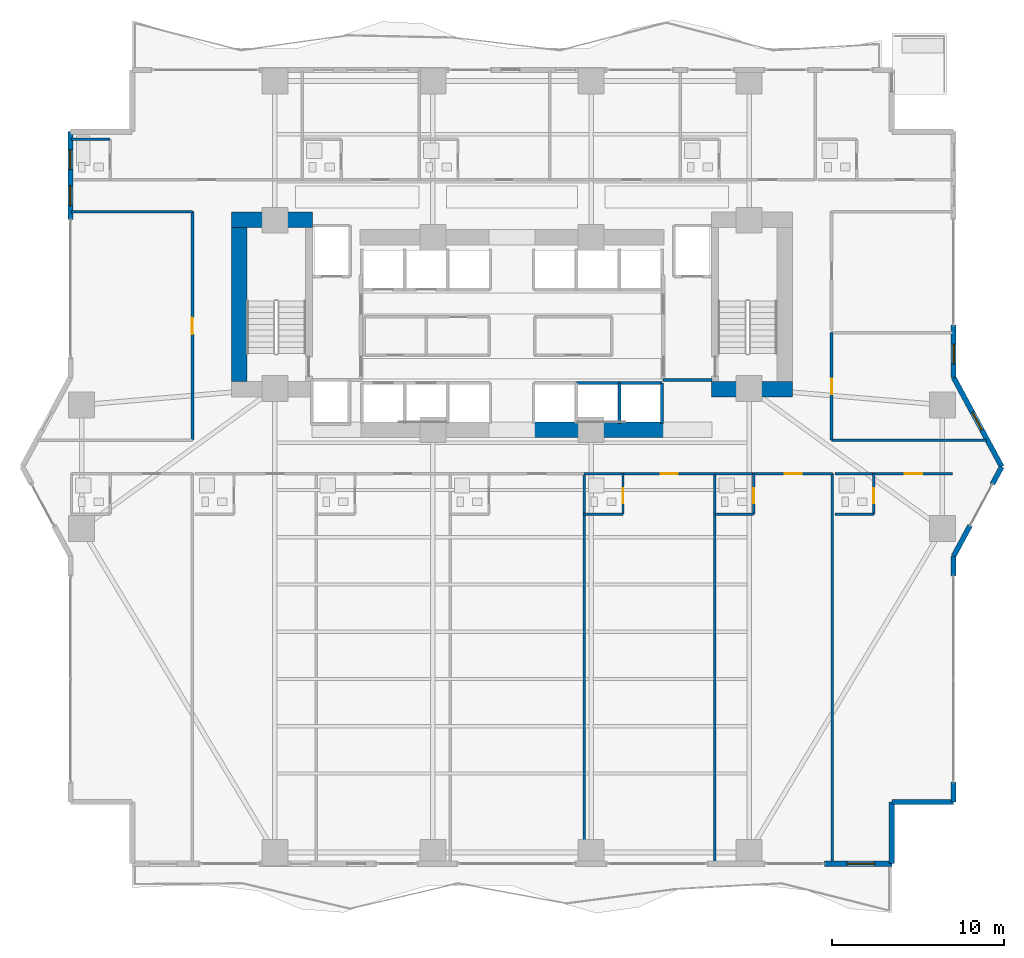
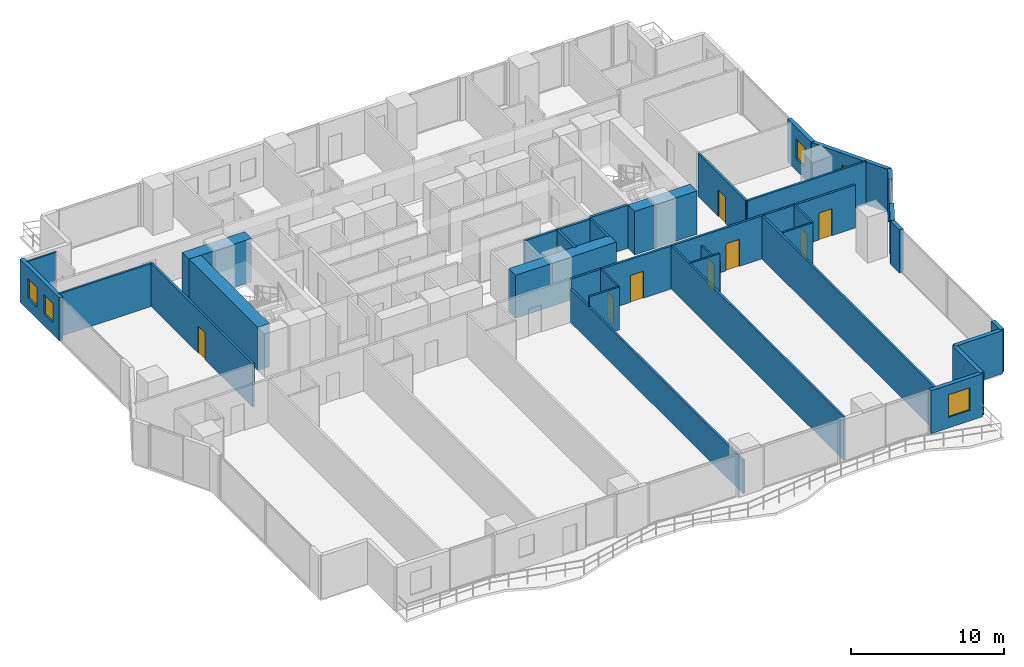
# One storey, part 20 of 28: 36 walls, 8 doors, 5 windows, 13 openings.
"""IFC4 building model written with IfcOpenShell, lengths in metres."""

from ifc_helpers import new_model, si_unit, direction, frame, frame_2d, origin, place, context, subcontext, project, spatial, rectangle, extrude, material, layer, layer_set, type_object, element, fill, save


model = new_model("IFC4")

# Units and contexts
model_context = context("Model", 3, precision=1e-05, world=origin(), true_north=direction((0.0, 1.0)))
body_context = subcontext(model_context, "Body", "Model", "MODEL_VIEW")
ifc_project = project(units=[si_unit("LENGTHUNIT", "METRE"), si_unit("AREAUNIT", "SQUARE_METRE"), si_unit("VOLUMEUNIT", "CUBIC_METRE"), si_unit("PLANEANGLEUNIT", "RADIAN"), si_unit("MASSUNIT", "GRAM", prefix="KILO")], contexts=[model_context])

# Site, building, storey
site_placement = place(None, origin())
site = spatial("IfcSite", under=ifc_project, at=site_placement, CompositionType="ELEMENT")
building_placement = place(site_placement, origin())
building = spatial("IfcBuilding", under=site, at=building_placement, Name="Zuhayl Quay Hotel", CompositionType="ELEMENT")
storey_placement = place(building_placement, frame((0.0, 0.0, 49.5)))
storey = spatial("IfcBuildingStorey", under=building, at=storey_placement, Name="L11", CompositionType="ELEMENT", Elevation=49.5)

# Walls
ifc_material_1 = material(Name="Concrete C70/85", Category="concrete")
ifc_layer_1 = layer(ifc_material_1, 0.89990234375, Name="Concrete C70/85", Category="concrete")
ifc_layer_set_1 = layer_set([ifc_layer_1], Name="Concrete C70/85")
wall_type_1 = type_object("IfcWallType", Name="WL_CORE_900", PredefinedType="SHEAR", material=ifc_layer_set_1)
wall_1_placement = place(storey_placement, frame((-16.31005859375, 14.3798828125, 0.0), z_axis=(0.0, 0.0, 1.0), x_axis=(1.0, 0.0, 0.0)))
element("IfcWall", 1, at=wall_1_placement, inside=storey, type_object=wall_type_1, Name="L11 Core Shear Wall CW_NW", PredefinedType="SHEAR", context=body_context, shape_type="SweptSolid", body=[
    extrude(rectangle(XDim=4.7099609375, YDim=0.89990234375, at=frame_2d((2.35498046875, 0.0))), origin(), (0.0, 0.0, 1.0), 3.4599609375),
])
wall_2_placement = place(storey_placement, frame((-15.860107421875, 4.969970703125, 0.0), z_axis=(0.0, 0.0, 1.0), x_axis=(0.0, 1.0, 0.0)))
element("IfcWall", 2, at=wall_2_placement, inside=storey, type_object=wall_type_1, Name="L11 Core Shear Wall CW_W", PredefinedType="SHEAR", context=body_context, shape_type="SweptSolid", body=[
    extrude(rectangle(XDim=8.9599609375, YDim=0.89990234375, at=frame_2d((4.47998046875, 0.0))), origin(), (0.0, 0.0, 1.0), 3.4599609375),
])
wall_3_placement = place(storey_placement, frame((11.60009765625, 4.52001953125, 0.0), z_axis=(0.0, 0.0, 1.0), x_axis=(1.0, 0.0, 0.0)))
element("IfcWall", 3, at=wall_3_placement, inside=storey, type_object=wall_type_1, Name="L11 Core Shear Wall CW_SE", PredefinedType="SHEAR", context=body_context, shape_type="SweptSolid", body=[
    extrude(rectangle(XDim=4.7099609375, YDim=0.89990234375, at=frame_2d((2.35498046875, 0.0))), origin(), (0.0, 0.0, 1.0), 3.4599609375),
])
wall_4_placement = place(storey_placement, frame((1.25, 2.14990234375, 0.0), z_axis=(0.0, 0.0, 1.0), x_axis=(1.0, 0.0, 0.0)))
element("IfcWall", 4, at=wall_4_placement, inside=storey, type_object=wall_type_1, Name="L11 Core Shear Wall CW_SC_E", PredefinedType="SHEAR", context=body_context, shape_type="SweptSolid", body=[
    extrude(rectangle(XDim=7.60009765625, YDim=0.89990234375, at=frame_2d((3.800048828125, 0.0))), origin(), (0.0, 0.0, 1.0), 3.429931640625),
])

# Wall, openings, windows
ifc_material_2 = material(Name="Precast concrete C45/55", Category="concrete")
ifc_layer_2 = layer(ifc_material_2, 0.300048828125, Name="Precast concrete C45/55", Category="concrete")
ifc_layer_set_2 = layer_set([ifc_layer_2], Name="Precast concrete C45/55")
wall_type_2 = type_object("IfcWallType", Name="WL_EXT_300", PredefinedType="STANDARD", material=ifc_layer_set_2)
wall_5_placement = place(storey_placement, frame((-25.699951171875, 14.39990234375, 0.0), z_axis=(0.0, 0.0, 1.0), x_axis=(0.0, 1.0, 0.0)))
wall_5 = element("IfcWall", 5, at=wall_5_placement, inside=storey, type_object=wall_type_2, Name="L11 Exterior Precast Wall ENV_L11_E05_EW2", PredefinedType="STANDARD", context=body_context, shape_type="SweptSolid", body=[
    extrude(rectangle(XDim=5.10009765625, YDim=0.300048828125, at=frame_2d((2.550048828125, 0.0))), origin(), (0.0, 0.0, 1.0), 3.429931640625),
])
opening_1_placement = place(wall_5_placement, frame((0.800048828125, 0.0, 0.949951171875)))
opening_1 = element("IfcOpeningElement", 6, at=opening_1_placement, cuts=wall_5, Name="Opening W01N", PredefinedType="OPENING", context=body_context, shape_type="SweptSolid", body=[
    extrude(rectangle(XDim=1.14990234375, YDim=1.550048828125, at=frame_2d((0.574951171875, 0.77490234375))), frame((0.0, 0.159912109375, 0.0), z_axis=(0.0, -1.0, 0.0), x_axis=(1.0, 0.0, 0.0)), (0.0, 0.0, 1.0), 0.320068359375),
])
opening_2_placement = place(wall_5_placement, frame((2.905029296875, 0.0, 0.949951171875)))
opening_2 = element("IfcOpeningElement", 7, at=opening_2_placement, cuts=wall_5, Name="Opening W01N", PredefinedType="OPENING", context=body_context, shape_type="SweptSolid", body=[
    extrude(rectangle(XDim=1.14990234375, YDim=1.550048828125, at=frame_2d((0.574951171875, 0.77490234375))), frame((0.0, 0.159912109375, 0.0), z_axis=(0.0, -1.0, 0.0), x_axis=(1.0, 0.0, 0.0)), (0.0, 0.0, 1.0), 0.320068359375),
])
ifc_material_3 = material(Name="Dark Ceramic-Fritted Solar Glass", Category="glass")
window_type_1 = type_object("IfcWindowType", Name="WN_NOTCH_1350", PartitioningType="SINGLE_PANEL", PredefinedType="WINDOW", material=ifc_material_3)
window_1_placement = place(opening_1_placement, origin())
window_1 = element("IfcWindow", 8, at=window_1_placement, inside=storey, type_object=window_type_1, Name="L11 Operable Facade Window 2-1", OverallHeight=1.550048828125, OverallWidth=1.14990234375, PartitioningType="SINGLE_PANEL", PredefinedType="WINDOW", context=body_context, shape_type="SweptSolid", body=[
    extrude(rectangle(XDim=1.14990234375, YDim=1.550048828125, at=frame_2d((0.574951171875, 0.77490234375))), frame((0.0, 0.030029296875, 0.0), z_axis=(0.0, -1.0, 0.0), x_axis=(1.0, 0.0, 0.0)), (0.0, 0.0, 1.0), 0.06005859375),
])
fill(opening_1, window_1)
window_2_placement = place(opening_2_placement, origin())
window_2 = element("IfcWindow", 9, at=window_2_placement, inside=storey, type_object=window_type_1, Name="L11 Operable Facade Window 2-2", OverallHeight=1.550048828125, OverallWidth=1.14990234375, PartitioningType="SINGLE_PANEL", PredefinedType="WINDOW", context=body_context, shape_type="SweptSolid", body=[
    extrude(rectangle(XDim=1.14990234375, YDim=1.550048828125, at=frame_2d((0.574951171875, 0.77490234375))), frame((0.0, 0.030029296875, 0.0), z_axis=(0.0, -1.0, 0.0), x_axis=(1.0, 0.0, 0.0)), (0.0, 0.0, 1.0), 0.06005859375),
])
fill(opening_2, window_2)

# Wall, opening, window
wall_6_placement = place(storey_placement, frame((25.699951171875, 8.25, 0.0), z_axis=(0.0, 0.0, 1.0), x_axis=(0.0, -1.0, 0.0)))
wall_6 = element("IfcWall", 10, at=wall_6_placement, inside=storey, type_object=wall_type_2, Name="L11 Exterior Precast Wall ENV_L11_E11_EW2", PredefinedType="STANDARD", context=body_context, shape_type="SweptSolid", body=[
    extrude(rectangle(XDim=3.050048828125, YDim=0.300048828125, at=frame_2d((1.52490234375, 0.0))), origin(), (0.0, 0.0, 1.0), 3.429931640625),
])
opening_3_placement = place(wall_6_placement, frame((1.114990234375, 0.0, 0.949951171875)))
opening_3 = element("IfcOpeningElement", 11, at=opening_3_placement, cuts=wall_6, Name="Opening W01N", PredefinedType="OPENING", context=body_context, shape_type="SweptSolid", body=[
    extrude(rectangle(XDim=1.14990234375, YDim=1.550048828125, at=frame_2d((0.574951171875, 0.77490234375))), frame((0.0, 0.159912109375, 0.0), z_axis=(0.0, -1.0, 0.0), x_axis=(1.0, 0.0, 0.0)), (0.0, 0.0, 1.0), 0.320068359375),
])
window_3_placement = place(opening_3_placement, origin())
window_3 = element("IfcWindow", 12, at=window_3_placement, inside=storey, type_object=window_type_1, Name="L11 Operable Facade Window 2-1", OverallHeight=1.550048828125, OverallWidth=1.14990234375, PartitioningType="SINGLE_PANEL", PredefinedType="WINDOW", context=body_context, shape_type="SweptSolid", body=[
    extrude(rectangle(XDim=1.14990234375, YDim=1.550048828125, at=frame_2d((0.574951171875, 0.77490234375))), frame((0.0, 0.030029296875, 0.0), z_axis=(0.0, -1.0, 0.0), x_axis=(1.0, 0.0, 0.0)), (0.0, 0.0, 1.0), 0.06005859375),
])
fill(opening_3, window_3)

wall_7_placement = place(storey_placement, frame((25.699951171875, 5.199951171875, 0.0), z_axis=(0.0, 0.0, 1.0), x_axis=(0.474109683532, -0.880465790352, 0.0)))
wall_7 = element("IfcWall", 13, at=wall_7_placement, inside=storey, type_object=wall_type_2, Name="L11 Exterior Precast Wall ENV_L11_E12_EW1", PredefinedType="STANDARD", context=body_context, shape_type="SweptSolid", body=[
    extrude(rectangle(XDim=5.906005859375, YDim=0.300048828125, at=frame_2d((2.953125, 0.0))), origin(), (0.0, 0.0, 1.0), 3.429931640625),
])
opening_4_placement = place(wall_7_placement, frame((2.32373046875, 0.0, 0.949951171875)))
opening_4 = element("IfcOpeningElement", 14, at=opening_4_placement, cuts=wall_7, Name="Opening W01N", PredefinedType="OPENING", context=body_context, shape_type="SweptSolid", body=[
    extrude(rectangle(XDim=1.14990234375, YDim=1.550048828125, at=frame_2d((0.574951171875, 0.77490234375))), frame((0.0, 0.159912109375, 0.0), z_axis=(0.0, -1.0, 0.0), x_axis=(1.0, 0.0, 0.0)), (0.0, 0.0, 1.0), 0.320068359375),
])
window_4_placement = place(opening_4_placement, origin())
window_4 = element("IfcWindow", 15, at=window_4_placement, inside=storey, type_object=window_type_1, Name="L11 Operable Facade Window 1-1", OverallHeight=1.550048828125, OverallWidth=1.14990234375, PartitioningType="SINGLE_PANEL", PredefinedType="WINDOW", context=body_context, shape_type="SweptSolid", body=[
    extrude(rectangle(XDim=1.14990234375, YDim=1.550048828125, at=frame_2d((0.574951171875, 0.77490234375))), frame((0.0, 0.030029296875, 0.0), z_axis=(0.0, -1.0, 0.0), x_axis=(1.0, 0.0, 0.0)), (0.0, 0.0, 1.0), 0.06005859375),
])
fill(opening_4, window_4)

# Walls
wall_8_placement = place(storey_placement, frame((28.5, 0.0, 0.0), z_axis=(0.0, 0.0, 1.0), x_axis=(-0.474099823035, -0.880471099922, 0.0)))
element("IfcWall", 16, at=wall_8_placement, inside=storey, type_object=wall_type_2, Name="L11 Exterior Precast Wall ENV_L11_E13_EW1", PredefinedType="STANDARD", context=body_context, shape_type="SweptSolid", body=[
    extrude(rectangle(XDim=1.14990234375, YDim=0.300048828125, at=frame_2d((0.574951171875, 0.0))), origin(), (0.0, 0.0, 1.0), 3.429931640625),
])
wall_9_placement = place(storey_placement, frame((26.657958984375, -3.4208984375, 0.0), z_axis=(0.0, 0.0, 1.0), x_axis=(-0.474121438562, -0.88045946045, 0.0)))
element("IfcWall", 17, at=wall_9_placement, inside=storey, type_object=wall_type_2, Name="L11 Exterior Precast Wall ENV_L11_E13_EW2", PredefinedType="STANDARD", context=body_context, shape_type="SweptSolid", body=[
    extrude(rectangle(XDim=2.0205078125, YDim=0.300048828125, at=frame_2d((1.01025390625, 0.0))), origin(), (0.0, 0.0, 1.0), 3.429931640625),
])
wall_10_placement = place(storey_placement, frame((25.699951171875, -5.199951171875, 0.0), z_axis=(0.0, 0.0, 1.0), x_axis=(0.0, -1.0, 0.0)))
element("IfcWall", 18, at=wall_10_placement, inside=storey, type_object=wall_type_2, Name="L11 Exterior Precast Wall ENV_L11_E14_EW1", PredefinedType="STANDARD", context=body_context, shape_type="SweptSolid", body=[
    extrude(rectangle(XDim=1.150146484375, YDim=0.300048828125, at=frame_2d((0.5751953125, 0.0))), origin(), (0.0, 0.0, 1.0), 3.429931640625),
])
wall_11_placement = place(storey_placement, frame((25.699951171875, -18.35009765625, 0.0), z_axis=(0.0, 0.0, 1.0), x_axis=(0.0, -1.0, 0.0)))
element("IfcWall", 19, at=wall_11_placement, inside=storey, type_object=wall_type_2, Name="L11 Exterior Precast Wall ENV_L11_E14_EW2", PredefinedType="STANDARD", context=body_context, shape_type="SweptSolid", body=[
    extrude(rectangle(XDim=1.14990234375, YDim=0.300048828125, at=frame_2d((0.574951171875, 0.0))), origin(), (0.0, 0.0, 1.0), 3.429931640625),
])
wall_12_placement = place(storey_placement, frame((25.699951171875, -19.5, 0.0), z_axis=(0.0, 0.0, 1.0), x_axis=(-1.0, 0.0, 0.0)))
element("IfcWall", 20, at=wall_12_placement, inside=storey, type_object=wall_type_2, Name="L11 Exterior Precast Wall ENV_L11_EW15", PredefinedType="STANDARD", context=body_context, shape_type="SweptSolid", body=[
    extrude(rectangle(XDim=3.599853515625, YDim=0.300048828125, at=frame_2d((1.7998046875, 0.0))), origin(), (0.0, 0.0, 1.0), 3.429931640625),
])
wall_13_placement = place(storey_placement, frame((22.10009765625, -19.5, 0.0), z_axis=(0.0, 0.0, 1.0), x_axis=(0.0, -1.0, 0.0)))
element("IfcWall", 21, at=wall_13_placement, inside=storey, type_object=wall_type_2, Name="L11 Exterior Precast Wall ENV_L11_EW16", PredefinedType="STANDARD", context=body_context, shape_type="SweptSolid", body=[
    extrude(rectangle(XDim=3.60009765625, YDim=0.300048828125, at=frame_2d((1.800048828125, 0.0))), origin(), (0.0, 0.0, 1.0), 3.429931640625),
])

# Wall, opening, window
wall_14_placement = place(storey_placement, frame((22.10009765625, -23.10009765625, 0.0), z_axis=(0.0, 0.0, 1.0), x_axis=(-1.0, 0.0, 0.0)))
wall_14 = element("IfcWall", 22, at=wall_14_placement, inside=storey, type_object=wall_type_2, Name="L11 Exterior Precast Wall ENV_L11_S_EW1", PredefinedType="STANDARD", context=body_context, shape_type="SweptSolid", body=[
    extrude(rectangle(XDim=3.91015625, YDim=0.300048828125, at=frame_2d((1.955078125, 0.0))), origin(), (0.0, 0.0, 1.0), 3.429931640625),
])
opening_5_placement = place(wall_14_placement, frame((0.989990234375, 0.0, 0.85009765625)))
opening_5 = element("IfcOpeningElement", 23, at=opening_5_placement, cuts=wall_14, Name="Opening W01", PredefinedType="OPENING", context=body_context, shape_type="SweptSolid", body=[
    extrude(rectangle(XDim=1.60009765625, YDim=1.800048828125, at=frame_2d((0.800048828125, 0.89990234375))), frame((0.0, 0.159912109375, 0.0), z_axis=(0.0, -1.0, 0.0), x_axis=(1.0, 0.0, 0.0)), (0.0, 0.0, 1.0), 0.320068359375),
])
window_type_2 = type_object("IfcWindowType", Name="WN_OPERABLE_1600", PartitioningType="DOUBLE_PANEL_VERTICAL", PredefinedType="WINDOW", material=ifc_material_3)
window_5_placement = place(opening_5_placement, origin())
window_5 = element("IfcWindow", 24, at=window_5_placement, inside=storey, type_object=window_type_2, Name="L11 Operable Facade Window 1-1", OverallHeight=1.800048828125, OverallWidth=1.60009765625, PartitioningType="SINGLE_PANEL", PredefinedType="WINDOW", context=body_context, shape_type="SweptSolid", body=[
    extrude(rectangle(XDim=1.60009765625, YDim=1.800048828125, at=frame_2d((0.800048828125, 0.89990234375))), frame((0.0, 0.030029296875, 0.0), z_axis=(0.0, -1.0, 0.0), x_axis=(1.0, 0.0, 0.0)), (0.0, 0.0, 1.0), 0.06005859375),
])
fill(opening_5, window_5)

# Walls
ifc_material_4 = material(Name="Acoustic Gypsum Partition STC-58")
ifc_layer_3 = layer(ifc_material_4, 0.14990234375, Name="Acoustic Gypsum Partition STC-58")
ifc_layer_set_3 = layer_set([ifc_layer_3], Name="Acoustic Gypsum Partition STC-58")
wall_type_3 = type_object("IfcWallType", Name="WL_PART_150", PredefinedType="PARTITIONING", material=ifc_layer_set_3)
wall_15_placement = place(storey_placement, frame((4.199951171875, -23.02001953125, 0.0), z_axis=(0.0, 0.0, 1.0), x_axis=(0.0, 1.0, 0.0)))
element("IfcWall", 25, at=wall_15_placement, inside=storey, type_object=wall_type_3, Name="L11 Partition IW_L11_SU03_E", PredefinedType="PARTITIONING", context=body_context, shape_type="SweptSolid", body=[
    extrude(rectangle(XDim=22.6201171875, YDim=0.14990234375, at=frame_2d((11.31005859375, 0.0))), origin(), (0.0, 0.0, 1.0), 2.66796875),
])
for number, where, z_axis, x_axis, name in (
    (26, (11.800048828125, -23.02001953125, 0.0), (0.0, 0.0, 1.0), (0.0, 1.0, 0.0), "L11 Partition IW_L11_SU04_E"),
    (27, (18.639892578125, -23.02001953125, 0.0), (0.0, 0.0, 1.0), (0.0, 1.0, 0.0), "L11 Partition IW_L11_SU05A_E"),
):
    element("IfcWall", number, at=place(storey_placement, frame(where, z_axis=z_axis, x_axis=x_axis)), inside=storey, type_object=wall_type_3, Name=name, PredefinedType="PARTITIONING", context=body_context, shape_type="SweptSolid", body=[
        extrude(rectangle(XDim=22.6201171875, YDim=0.14990234375, at=frame_2d((11.31005859375, 0.0))), origin(), (0.0, 0.0, 1.0), 3.429931640625),
    ])
wall_16_placement = place(storey_placement, frame((18.60009765625, 1.550048828125, 0.0), z_axis=(0.0, 0.0, 1.0), x_axis=(1.0, 0.0, 0.0)))
element("IfcWall", 28, at=wall_16_placement, inside=storey, type_object=wall_type_3, Name="L11 Partition IW_L11_HK_MAIN_S", PredefinedType="PARTITIONING", context=body_context, shape_type="SweptSolid", body=[
    extrude(rectangle(XDim=9.00537109375, YDim=0.14990234375, at=frame_2d((4.502685546875, 0.0))), origin(), (0.0, 0.0, 1.0), 3.429931640625),
])
wall_17_placement = place(storey_placement, frame((-25.639892578125, 14.85009765625, 0.0), z_axis=(0.0, 0.0, 1.0), x_axis=(1.0, 0.0, 0.0)))
element("IfcWall", 29, at=wall_17_placement, inside=storey, type_object=wall_type_3, Name="L11 Partition IW_L11_WPROW_1_N", PredefinedType="PARTITIONING", context=body_context, shape_type="SweptSolid", body=[
    extrude(rectangle(XDim=7.039794921875, YDim=0.14990234375, at=frame_2d((3.52001953125, 0.0))), origin(), (0.0, 0.0, 1.0), 3.429931640625),
])

# Wall, opening, door
ifc_layer_4 = layer(ifc_material_4, 0.159912109375, Name="Acoustic Gypsum Partition STC-58")
ifc_layer_set_4 = layer_set([ifc_layer_4], Name="Acoustic Gypsum Partition STC-58")
wall_type_4 = type_object("IfcWallType", Name="WL_PART_CORR_160", PredefinedType="PARTITIONING", material=ifc_layer_set_4)
wall_18_placement = place(storey_placement, frame((4.199951171875, -0.39990234375, 0.0), z_axis=(0.0, 0.0, 1.0), x_axis=(1.0, 0.0, 0.0)))
wall_18 = element("IfcWall", 30, at=wall_18_placement, inside=storey, type_object=wall_type_4, Name="L11 Partition IW_L11_SU04_COR", PredefinedType="PARTITIONING", context=body_context, shape_type="SweptSolid", body=[
    extrude(rectangle(XDim=7.60009765625, YDim=0.159912109375, at=frame_2d((3.800048828125, 0.0))), origin(), (0.0, 0.0, 1.0), 3.429931640625),
])
opening_6_placement = place(wall_18_placement, frame((4.449951171875, 0.0, 0.0)))
opening_6 = element("IfcOpeningElement", 31, at=opening_6_placement, cuts=wall_18, Name="Opening D03L", PredefinedType="OPENING", context=body_context, shape_type="SweptSolid", body=[
    extrude(rectangle(XDim=1.0, YDim=2.14990234375, at=frame_2d((0.5, 1.074951171875))), frame((0.0, 0.08984375, 0.0), z_axis=(0.0, -1.0, 0.0), x_axis=(1.0, 0.0, 0.0)), (0.0, 0.0, 1.0), 0.179931640625),
])
ifc_material_5 = material(Name="Solid Walnut Acoustic Fire Door")
door_type_1 = type_object("IfcDoorType", Name="DR_SUITE_1000", OperationType="NOTDEFINED", PredefinedType="DOOR", material=ifc_material_5)
door_1_placement = place(opening_6_placement, origin())
door_1 = element("IfcDoor", 32, at=door_1_placement, inside=storey, type_object=door_type_1, Name="L11 City-View Junior Suite L11-04 Entrance Door", OperationType="SINGLE_SWING_LEFT", OverallHeight=2.14990234375, OverallWidth=1.0, PredefinedType="DOOR", context=body_context, shape_type="SweptSolid", body=[
    extrude(rectangle(XDim=1.0, YDim=2.14990234375, at=frame_2d((0.5, 1.074951171875))), frame((0.0, 0.02490234375, 0.0), z_axis=(0.0, -1.0, 0.0), x_axis=(1.0, 0.0, 0.0)), (0.0, 0.0, 1.0), 0.050048828125),
])
fill(opening_6, door_1)

wall_19_placement = place(storey_placement, frame((11.800048828125, -0.39990234375, 0.0), z_axis=(0.0, 0.0, 1.0), x_axis=(1.0, 0.0, 0.0)))
wall_19 = element("IfcWall", 33, at=wall_19_placement, inside=storey, type_object=wall_type_4, Name="L11 Partition IW_L11_SU05A_COR", PredefinedType="PARTITIONING", context=body_context, shape_type="SweptSolid", body=[
    extrude(rectangle(XDim=6.83984375, YDim=0.159912109375, at=frame_2d((3.419921875, 0.0))), origin(), (0.0, 0.0, 1.0), 3.429931640625),
])
opening_7_placement = place(wall_19_placement, frame((4.070068359375, 0.0, 0.0)))
opening_7 = element("IfcOpeningElement", 34, at=opening_7_placement, cuts=wall_19, Name="Opening D03L", PredefinedType="OPENING", context=body_context, shape_type="SweptSolid", body=[
    extrude(rectangle(XDim=1.0, YDim=2.14990234375, at=frame_2d((0.5, 1.074951171875))), frame((0.0, 0.08984375, 0.0), z_axis=(0.0, -1.0, 0.0), x_axis=(1.0, 0.0, 0.0)), (0.0, 0.0, 1.0), 0.179931640625),
])
door_2_placement = place(opening_7_placement, origin())
door_2 = element("IfcDoor", 35, at=door_2_placement, inside=storey, type_object=door_type_1, Name="L11 Premier Twin Junior Suite L11-05A Entrance Door", OperationType="SINGLE_SWING_LEFT", OverallHeight=2.14990234375, OverallWidth=1.0, PredefinedType="DOOR", context=body_context, shape_type="SweptSolid", body=[
    extrude(rectangle(XDim=1.0, YDim=2.14990234375, at=frame_2d((0.5, 1.074951171875))), frame((0.0, 0.02490234375, 0.0), z_axis=(0.0, -1.0, 0.0), x_axis=(1.0, 0.0, 0.0)), (0.0, 0.0, 1.0), 0.050048828125),
])
fill(opening_7, door_2)

wall_20_placement = place(storey_placement, frame((18.800048828125, -0.39990234375, 0.0), z_axis=(0.0, 0.0, 1.0), x_axis=(1.0, 0.0, 0.0)))
wall_20 = element("IfcWall", 36, at=wall_20_placement, inside=storey, type_object=wall_type_4, Name="L11 Partition IW_L11_SU05B_COR", PredefinedType="PARTITIONING", context=body_context, shape_type="SweptSolid", body=[
    extrude(rectangle(XDim=6.83984375, YDim=0.159912109375, at=frame_2d((3.419921875, 0.0))), origin(), (0.0, 0.0, 1.0), 3.429931640625),
])
opening_8_placement = place(wall_20_placement, frame((4.070068359375, 0.0, 0.0)))
opening_8 = element("IfcOpeningElement", 37, at=opening_8_placement, cuts=wall_20, Name="Opening D03L", PredefinedType="OPENING", context=body_context, shape_type="SweptSolid", body=[
    extrude(rectangle(XDim=1.0, YDim=2.14990234375, at=frame_2d((0.5, 1.074951171875))), frame((0.0, 0.08984375, 0.0), z_axis=(0.0, -1.0, 0.0), x_axis=(1.0, 0.0, 0.0)), (0.0, 0.0, 1.0), 0.179931640625),
])
door_3_placement = place(opening_8_placement, origin())
door_3 = element("IfcDoor", 38, at=door_3_placement, inside=storey, type_object=door_type_1, Name="L11 Premier Twin Junior Suite L11-05B Entrance Door", OperationType="SINGLE_SWING_LEFT", OverallHeight=2.14990234375, OverallWidth=1.0, PredefinedType="DOOR", context=body_context, shape_type="SweptSolid", body=[
    extrude(rectangle(XDim=1.0, YDim=2.14990234375, at=frame_2d((0.5, 1.074951171875))), frame((0.0, 0.02490234375, 0.0), z_axis=(0.0, -1.0, 0.0), x_axis=(1.0, 0.0, 0.0)), (0.0, 0.0, 1.0), 0.050048828125),
])
fill(opening_8, door_3)

wall_21_placement = place(storey_placement, frame((18.60009765625, 1.550048828125, 0.0), z_axis=(0.0, 0.0, 1.0), x_axis=(0.0, 1.0, 0.0)))
wall_21 = element("IfcWall", 39, at=wall_21_placement, inside=storey, type_object=wall_type_4, Name="L11 Partition IW_L11_HK_MAIN_W", PredefinedType="PARTITIONING", context=body_context, shape_type="SweptSolid", body=[
    extrude(rectangle(XDim=6.25, YDim=0.159912109375, at=frame_2d((3.125, 0.0))), origin(), (0.0, 0.0, 1.0), 3.429931640625),
])
opening_9_placement = place(wall_21_placement, frame((2.6650390625, 0.0, 0.0)))
opening_9 = element("IfcOpeningElement", 40, at=opening_9_placement, cuts=wall_21, Name="Opening D05", PredefinedType="OPENING", context=body_context, shape_type="SweptSolid", body=[
    extrude(rectangle(XDim=0.919921875, YDim=2.1201171875, at=frame_2d((0.4599609375, 1.06005859375))), frame((0.0, 0.08984375, 0.0), z_axis=(0.0, -1.0, 0.0), x_axis=(1.0, 0.0, 0.0)), (0.0, 0.0, 1.0), 0.179931640625),
])
door_type_2 = type_object("IfcDoorType", Name="DR_INT_950", OperationType="NOTDEFINED", PredefinedType="DOOR", material=ifc_material_5)
door_4_placement = place(opening_9_placement, origin())
door_4 = element("IfcDoor", 41, at=door_4_placement, inside=storey, type_object=door_type_2, Name="L11 Housekeeping and Linen Room Door", OperationType="SINGLE_SWING_RIGHT", OverallHeight=2.1201171875, OverallWidth=0.919921875, PredefinedType="DOOR", context=body_context, shape_type="SweptSolid", body=[
    extrude(rectangle(XDim=0.919921875, YDim=2.1201171875, at=frame_2d((0.4599609375, 1.06005859375))), frame((0.0, 0.02490234375, 0.0), z_axis=(0.0, -1.0, 0.0), x_axis=(1.0, 0.0, 0.0)), (0.0, 0.0, 1.0), 0.050048828125),
])
fill(opening_9, door_4)

wall_22_placement = place(storey_placement, frame((-18.60009765625, 1.550048828125, 0.0), z_axis=(0.0, 0.0, 1.0), x_axis=(0.0, 1.0, 0.0)))
wall_22 = element("IfcWall", 42, at=wall_22_placement, inside=storey, type_object=wall_type_4, Name="L11 Partition IW_L11_WPROW_1_E", PredefinedType="PARTITIONING", context=body_context, shape_type="SweptSolid", body=[
    extrude(rectangle(XDim=13.300048828125, YDim=0.159912109375, at=frame_2d((6.64990234375, 0.0))), origin(), (0.0, 0.0, 1.0), 3.429931640625),
])
opening_10_placement = place(wall_22_placement, frame((6.175048828125, 0.0, 0.0)))
opening_10 = element("IfcOpeningElement", 43, at=opening_10_placement, cuts=wall_22, Name="Opening D03", PredefinedType="OPENING", context=body_context, shape_type="SweptSolid", body=[
    extrude(rectangle(XDim=0.949951171875, YDim=2.14990234375, at=frame_2d((0.47509765625, 1.074951171875))), frame((0.0, 0.08984375, 0.0), z_axis=(0.0, -1.0, 0.0), x_axis=(1.0, 0.0, 0.0)), (0.0, 0.0, 1.0), 0.179931640625),
])
door_type_3 = type_object("IfcDoorType", Name="DR_SUITE_950", OperationType="NOTDEFINED", PredefinedType="DOOR", material=ifc_material_5)
door_5_placement = place(opening_10_placement, origin())
door_5 = element("IfcDoor", 44, at=door_5_placement, inside=storey, type_object=door_type_3, Name="L11 West Prow Panoramic Salon L11 Door", OperationType="SINGLE_SWING_RIGHT", OverallHeight=2.14990234375, OverallWidth=0.949951171875, PredefinedType="DOOR", context=body_context, shape_type="SweptSolid", body=[
    extrude(rectangle(XDim=0.949951171875, YDim=2.14990234375, at=frame_2d((0.47509765625, 1.074951171875))), frame((0.0, 0.02490234375, 0.0), z_axis=(0.0, -1.0, 0.0), x_axis=(1.0, 0.0, 0.0)), (0.0, 0.0, 1.0), 0.050048828125),
])
fill(opening_10, door_5)

ifc_material_6 = material(Name="Moisture-Resistant Sanitarychase Gypsum")
ifc_layer_5 = layer(ifc_material_6, 0.135009765625, Name="Moisture-Resistant Sanitarychase Gypsum")
ifc_layer_set_5 = layer_set([ifc_layer_5], Name="Moisture-Resistant Sanitarychase Gypsum")
wall_type_5 = type_object("IfcWallType", Name="WL_PART_PLUMB_150", PredefinedType="PLUMBINGWALL", material=ifc_layer_set_5)
wall_23_placement = place(storey_placement, frame((6.4599609375, -2.760009765625, 0.0), z_axis=(0.0, 0.0, 1.0), x_axis=(0.0, 1.0, 0.0)))
wall_23 = element("IfcWall", 45, at=wall_23_placement, inside=storey, type_object=wall_type_5, Name="L11 Partition IW_L11_SU04_BE", PredefinedType="PLUMBINGWALL", context=body_context, shape_type="SweptSolid", body=[
    extrude(rectangle(XDim=2.360107421875, YDim=0.135009765625, at=frame_2d((1.18017578125, 0.0))), origin(), (0.0, 0.0, 1.0), 3.429931640625),
])
opening_11_placement = place(wall_23_placement, frame((0.64990234375, 0.0, 0.0)))
opening_11 = element("IfcOpeningElement", 46, at=opening_11_placement, cuts=wall_23, Name="Opening D04", PredefinedType="OPENING", context=body_context, shape_type="SweptSolid", body=[
    extrude(rectangle(XDim=0.85009765625, YDim=2.10009765625, at=frame_2d((0.425048828125, 1.050048828125))), frame((0.0, 0.077392578125, 0.0), z_axis=(0.0, -1.0, 0.0), x_axis=(1.0, 0.0, 0.0)), (0.0, 0.0, 1.0), 0.155029296875),
])
ifc_material_7 = material(Name="Moisture-Resistant Walnut Veneer")
door_type_4 = type_object("IfcDoorType", Name="DR_BATH_850", OperationType="NOTDEFINED", PredefinedType="DOOR", material=ifc_material_7)
door_6_placement = place(opening_11_placement, origin())
door_6 = element("IfcDoor", 47, at=door_6_placement, inside=storey, type_object=door_type_4, Name="L11 City-View Junior Suite L11-04 En-Suite Door", OperationType="SINGLE_SWING_RIGHT", OverallHeight=2.10009765625, OverallWidth=0.85009765625, PredefinedType="DOOR", context=body_context, shape_type="SweptSolid", body=[
    extrude(rectangle(XDim=0.85009765625, YDim=2.10009765625, at=frame_2d((0.425048828125, 1.050048828125))), frame((0.0, 0.02490234375, 0.0), z_axis=(0.0, -1.0, 0.0), x_axis=(1.0, 0.0, 0.0)), (0.0, 0.0, 1.0), 0.050048828125),
])
fill(opening_11, door_6)

wall_24_placement = place(storey_placement, frame((14.06005859375, -2.760009765625, 0.0), z_axis=(0.0, 0.0, 1.0), x_axis=(0.0, 1.0, 0.0)))
wall_24 = element("IfcWall", 48, at=wall_24_placement, inside=storey, type_object=wall_type_5, Name="L11 Partition IW_L11_SU05A_BE", PredefinedType="PLUMBINGWALL", context=body_context, shape_type="SweptSolid", body=[
    extrude(rectangle(XDim=2.360107421875, YDim=0.135009765625, at=frame_2d((1.18017578125, 0.0))), origin(), (0.0, 0.0, 1.0), 2.66796875),
])
opening_12_placement = place(wall_24_placement, frame((0.64990234375, 0.0, 0.0)))
opening_12 = element("IfcOpeningElement", 49, at=opening_12_placement, cuts=wall_24, Name="Opening D04", PredefinedType="OPENING", context=body_context, shape_type="SweptSolid", body=[
    extrude(rectangle(XDim=0.85009765625, YDim=2.10009765625, at=frame_2d((0.425048828125, 1.050048828125))), frame((0.0, 0.077392578125, 0.0), z_axis=(0.0, -1.0, 0.0), x_axis=(1.0, 0.0, 0.0)), (0.0, 0.0, 1.0), 0.155029296875),
])
door_7_placement = place(opening_12_placement, origin())
door_7 = element("IfcDoor", 50, at=door_7_placement, inside=storey, type_object=door_type_4, Name="L11 Premier Twin Junior Suite L11-05A En-Suite Door", OperationType="SINGLE_SWING_RIGHT", OverallHeight=2.10009765625, OverallWidth=0.85009765625, PredefinedType="DOOR", context=body_context, shape_type="SweptSolid", body=[
    extrude(rectangle(XDim=0.85009765625, YDim=2.10009765625, at=frame_2d((0.425048828125, 1.050048828125))), frame((0.0, 0.02490234375, 0.0), z_axis=(0.0, -1.0, 0.0), x_axis=(1.0, 0.0, 0.0)), (0.0, 0.0, 1.0), 0.050048828125),
])
fill(opening_12, door_7)

wall_25_placement = place(storey_placement, frame((21.06005859375, -2.760009765625, 0.0), z_axis=(0.0, 0.0, 1.0), x_axis=(0.0, 1.0, 0.0)))
wall_25 = element("IfcWall", 51, at=wall_25_placement, inside=storey, type_object=wall_type_5, Name="L11 Partition IW_L11_SU05B_BE", PredefinedType="PLUMBINGWALL", context=body_context, shape_type="SweptSolid", body=[
    extrude(rectangle(XDim=2.360107421875, YDim=0.135009765625, at=frame_2d((1.18017578125, 0.0))), origin(), (0.0, 0.0, 1.0), 3.429931640625),
])
opening_13_placement = place(wall_25_placement, frame((0.64990234375, 0.0, 0.0)))
opening_13 = element("IfcOpeningElement", 52, at=opening_13_placement, cuts=wall_25, Name="Opening D04", PredefinedType="OPENING", context=body_context, shape_type="SweptSolid", body=[
    extrude(rectangle(XDim=0.85009765625, YDim=2.10009765625, at=frame_2d((0.425048828125, 1.050048828125))), frame((0.0, 0.077392578125, 0.0), z_axis=(0.0, -1.0, 0.0), x_axis=(1.0, 0.0, 0.0)), (0.0, 0.0, 1.0), 0.155029296875),
])
door_8_placement = place(opening_13_placement, origin())
door_8 = element("IfcDoor", 53, at=door_8_placement, inside=storey, type_object=door_type_4, Name="L11 Premier Twin Junior Suite L11-05B En-Suite Door", OperationType="SINGLE_SWING_RIGHT", OverallHeight=2.10009765625, OverallWidth=0.85009765625, PredefinedType="DOOR", context=body_context, shape_type="SweptSolid", body=[
    extrude(rectangle(XDim=0.85009765625, YDim=2.10009765625, at=frame_2d((0.425048828125, 1.050048828125))), frame((0.0, 0.02490234375, 0.0), z_axis=(0.0, -1.0, 0.0), x_axis=(1.0, 0.0, 0.0)), (0.0, 0.0, 1.0), 0.050048828125),
])
fill(opening_13, door_8)

# Walls
for number, where, z_axis, x_axis, name in (
    (54, (-25.639892578125, 19.06005859375, 0.0), (0.0, 0.0, 1.0), (1.0, 0.0, 0.0), "L11 Partition IW_L11_NU01_BN"),
    (55, (4.199951171875, -2.760009765625, 0.0), (0.0, 0.0, 1.0), (1.0, 0.0, 0.0), "L11 Partition IW_L11_SU04_BS"),
    (56, (11.800048828125, -2.760009765625, 0.0), (0.0, 0.0, 1.0), (1.0, 0.0, 0.0), "L11 Partition IW_L11_SU05A_BS"),
    (57, (18.800048828125, -2.760009765625, 0.0), (0.0, 0.0, 1.0), (1.0, 0.0, 0.0), "L11 Partition IW_L11_SU05B_BS"),
):
    element("IfcWall", number, at=place(storey_placement, frame(where, z_axis=z_axis, x_axis=x_axis)), inside=storey, type_object=wall_type_5, Name=name, PredefinedType="PLUMBINGWALL", context=body_context, shape_type="SweptSolid", body=[
        extrude(rectangle(XDim=2.260009765625, YDim=0.135009765625, at=frame_2d((1.1298828125, 0.0))), origin(), (0.0, 0.0, 1.0), 3.429931640625),
    ])
ifc_material_8 = material(Name="Gypsum Fireboard Assembly EI-90")
ifc_layer_6 = layer(ifc_material_8, 0.1650390625, Name="Gypsum Fireboard Assembly EI-90")
ifc_layer_set_6 = layer_set([ifc_layer_6], Name="Gypsum Fireboard Assembly EI-90")
wall_type_6 = type_object("IfcWallType", Name="WL_PART_SHAFT_160", PredefinedType="PARTITIONING", material=ifc_layer_set_6)
wall_26_placement = place(storey_placement, frame((3.75, 4.8798828125, 0.0), z_axis=(0.0, 0.0, 1.0), x_axis=(1.0, 0.0, 0.0)))
element("IfcWall", 58, at=wall_26_placement, inside=storey, type_object=wall_type_6, Name="L11 Partition IW_L11_SH_HP1_F", PredefinedType="PARTITIONING", context=body_context, shape_type="SweptSolid", body=[
    extrude(rectangle(XDim=2.5, YDim=0.1650390625, at=frame_2d((1.25, 0.0))), origin(), (0.0, 0.0, 1.0), 3.429931640625),
])
wall_27_placement = place(storey_placement, frame((6.25, 2.52001953125, 0.0), z_axis=(0.0, 0.0, 1.0), x_axis=(0.0, 1.0, 0.0)))
element("IfcWall", 59, at=wall_27_placement, inside=storey, type_object=wall_type_6, Name="L11 Partition IW_L11_SH_HP1_E", PredefinedType="PARTITIONING", context=body_context, shape_type="SweptSolid", body=[
    extrude(rectangle(XDim=2.35986328125, YDim=0.1650390625, at=frame_2d((1.179931640625, 0.0))), origin(), (0.0, 0.0, 1.0), 3.429931640625),
])
wall_28_placement = place(storey_placement, frame((6.25, 4.8798828125, 0.0), z_axis=(0.0, 0.0, 1.0), x_axis=(1.0, 0.0, 0.0)))
element("IfcWall", 60, at=wall_28_placement, inside=storey, type_object=wall_type_6, Name="L11 Partition IW_L11_SH_HP2_F", PredefinedType="PARTITIONING", context=body_context, shape_type="SweptSolid", body=[
    extrude(rectangle(XDim=2.47998046875, YDim=0.1650390625, at=frame_2d((1.239990234375, 0.0))), origin(), (0.0, 0.0, 1.0), 3.429931640625),
])
wall_29_placement = place(storey_placement, frame((8.72998046875, 2.52001953125, 0.0), z_axis=(0.0, 0.0, 1.0), x_axis=(0.0, 1.0, 0.0)))
element("IfcWall", 61, at=wall_29_placement, inside=storey, type_object=wall_type_6, Name="L11 Partition IW_L11_SH_HP2_E", PredefinedType="PARTITIONING", context=body_context, shape_type="SweptSolid", body=[
    extrude(rectangle(XDim=2.35986328125, YDim=0.1650390625, at=frame_2d((1.179931640625, 0.0))), origin(), (0.0, 0.0, 1.0), 3.429931640625),
])
ifc_material_9 = material(Name="Gypsum Fireboard Assembly EI-120")
ifc_layer_7 = layer(ifc_material_9, 0.199951171875, Name="Gypsum Fireboard Assembly EI-120")
ifc_layer_set_7 = layer_set([ifc_layer_7], Name="Gypsum Fireboard Assembly EI-120")
wall_type_7 = type_object("IfcWallType", Name="WL_PART_SHAFT_200", PredefinedType="PARTITIONING", material=ifc_layer_set_7)
wall_30_placement = place(storey_placement, frame((8.800048828125, 5.050048828125, 0.0), z_axis=(0.0, 0.0, 1.0), x_axis=(1.0, 0.0, 0.0)))
element("IfcWall", 62, at=wall_30_placement, inside=storey, type_object=wall_type_7, Name="L11 Partition IW_L11_FSAE_E_S", PredefinedType="PARTITIONING", context=body_context, shape_type="SweptSolid", body=[
    extrude(rectangle(XDim=2.849853515625, YDim=0.199951171875, at=frame_2d((1.4248046875, 0.0))), origin(), (0.0, 0.0, 1.0), 3.429931640625),
])

save(model, "model.ifc")
